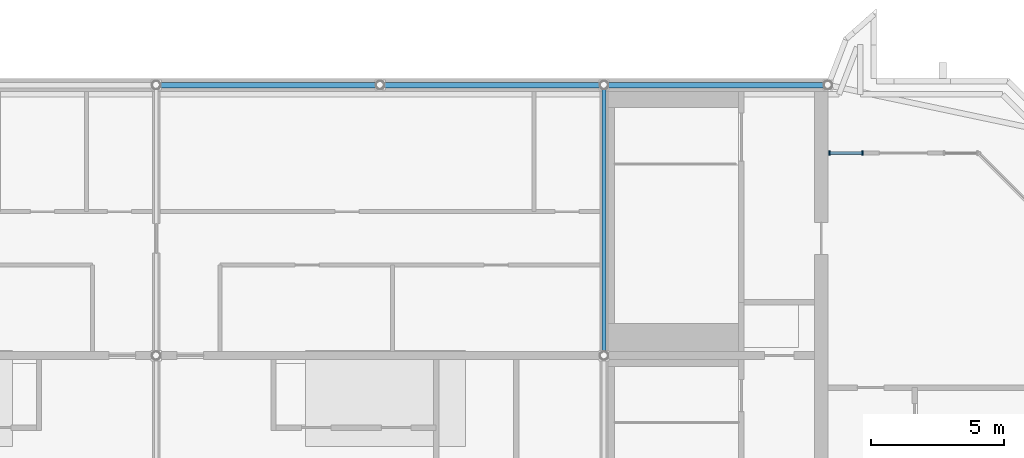
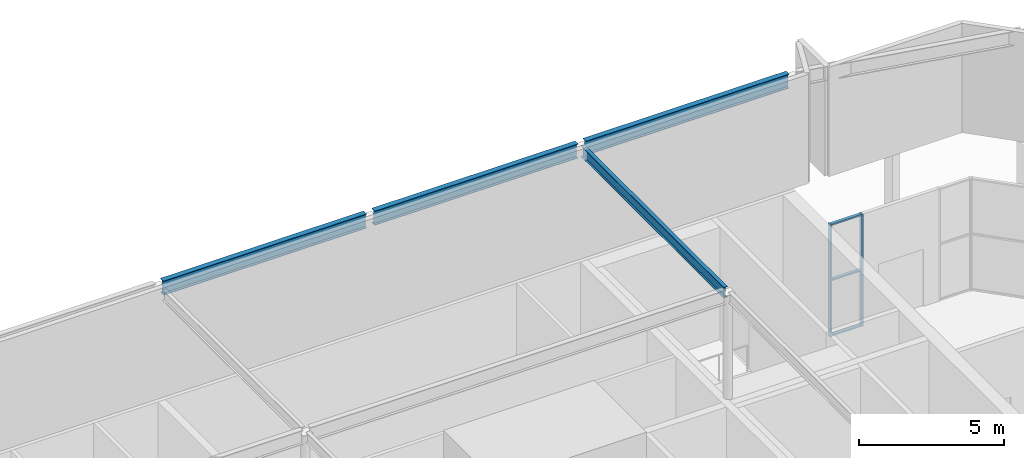
# One storey, part 13 of 25: 5 members, 4 beams, 1 element without a shape of its own.
"""IFC4 building model written with IfcOpenShell, lengths in metres."""

from ifc_helpers import new_model, si_unit, direction, frame, origin, origin_2d, place, context, subcontext, project, spatial, rectangle, i_section, extrude, source, transform, mapped, material, material_profile, profile_set, type_object, element, aggregate, save


model = new_model("IFC4")

# Units and contexts
model_context = context("Model", 3, precision=1e-05, world=origin(), true_north=direction((0.0, 1.0)))
body_context = subcontext(model_context, "Body", "Model", "MODEL_VIEW")
ifc_project = project(units=[si_unit("LENGTHUNIT", "METRE"), si_unit("AREAUNIT", "SQUARE_METRE"), si_unit("VOLUMEUNIT", "CUBIC_METRE"), si_unit("PLANEANGLEUNIT", "RADIAN"), si_unit("MASSUNIT", "GRAM", prefix="KILO")], contexts=[model_context])

# Site, building, storey
site_placement = place(None, origin())
site = spatial("IfcSite", under=ifc_project, at=site_placement, CompositionType="ELEMENT")
building_placement = place(site_placement, origin())
building = spatial("IfcBuilding", under=site, at=building_placement, Name="Vanashikhar Sky Hotel", CompositionType="ELEMENT")
storey_placement = place(building_placement, frame((0.0, 0.0, 329.699951171875)))
storey = spatial("IfcBuildingStorey", under=building, at=storey_placement, Name="L78", CompositionType="ELEMENT", Elevation=329.699951171875)

# Beams
ifc_material_1 = material(Name="Steel S355", Category="steel")
ifc_material_profile_1 = material_profile(ifc_material_1, i_section(OverallWidth=0.2099609375, OverallDepth=0.60009765625, WebThickness=0.011962890625, FlangeThickness=0.020751953125, at=origin_2d()), Name="ISMB 600")
ifc_profile_set_1 = profile_set([ifc_material_profile_1], Name="Steel S355")
beam_type_1 = type_object("IfcBeamType", Name="ISMB 600 Steel S355", PredefinedType="BEAM", material=ifc_profile_set_1)
shared_shape_1 = source(origin(), body_context, "Body", "SweptSolid", [
    extrude(i_section(OverallWidth=0.2099609375, OverallDepth=0.60009765625, WebThickness=0.011962890625, FlangeThickness=0.020751953125, at=origin_2d()), origin(), (0.0, 0.0, 1.0), 8.075927734375),
])
for number, where, z_axis, x_axis, name in (
    (1, (50.56201171875, 41.75, 9.300048828125), (1.0, 0.0, 0.0), (0.0, 1.0, 0.0), "CR-L78-XR04"),
    (2, (67.362060546875, 41.75, 9.300048828125), (1.0, 0.0, 0.0), (0.0, 1.0, 0.0), "CR-L78-XR06"),
):
    element("IfcBeam", number, at=place(storey_placement, frame(where, z_axis=z_axis, x_axis=x_axis)), inside=storey, type_object=beam_type_1, Name=name, PredefinedType="BEAM", context=body_context, shape_type="MappedRepresentation", body=[
        mapped(shared_shape_1, transform((0.0, 0.0, 0.0), scale=1.0)),
    ])
shared_shape_2 = source(origin(), body_context, "Body", "SweptSolid", [
    extrude(i_section(OverallWidth=0.2099609375, OverallDepth=0.60009765625, WebThickness=0.011962890625, FlangeThickness=0.020751953125, at=origin_2d()), origin(), (0.0, 0.0, 1.0), 8.076171875),
])
beam_1_placement = place(storey_placement, frame((58.9619140625, 41.75, 9.300048828125), z_axis=(1.0, 0.0, 0.0), x_axis=(0.0, 1.0, 0.0)))
element("IfcBeam", 3, at=beam_1_placement, inside=storey, type_object=beam_type_1, Name="CR-L78-XR05", PredefinedType="BEAM", context=body_context, shape_type="MappedRepresentation", body=[
    mapped(shared_shape_2, transform((0.0, 0.0, 0.0), scale=1.0)),
])
ifc_material_profile_2 = material_profile(ifc_material_1, i_section(OverallWidth=0.14990234375, OverallDepth=0.449951171875, WebThickness=0.009521484375, FlangeThickness=0.017333984375, at=origin_2d()), Name="ISMB 450")
ifc_profile_set_2 = profile_set([ifc_material_profile_2], Name="Steel S355")
beam_type_2 = type_object("IfcBeamType", Name="ISMB 450 Steel S355", PredefinedType="BEAM", material=ifc_profile_set_2)
shared_shape_3 = source(origin(), body_context, "Body", "SweptSolid", [
    extrude(i_section(OverallWidth=0.14990234375, OverallDepth=0.449951171875, WebThickness=0.009521484375, FlangeThickness=0.017333984375, at=origin_2d()), origin(), (0.0, 0.0, 1.0), 9.825927734375),
])
beam_2_placement = place(storey_placement, frame((67.199951171875, 31.761962890625, 9.300048828125), z_axis=(0.0, 1.0, 0.0), x_axis=(-1.0, 0.0, 0.0)))
element("IfcBeam", 4, at=beam_2_placement, inside=storey, type_object=beam_type_2, Name="CR-L78-Y06", PredefinedType="BEAM", context=body_context, shape_type="MappedRepresentation", body=[
    mapped(shared_shape_3, transform((0.0, 0.0, 0.0), scale=1.0)),
])

# Curtain wall, members
ifc_material_2 = material(Name="Glass", Category="glass")
curtain_wall_type = type_object("IfcCurtainWallType", Name="Observation enclosure", PredefinedType="NOTDEFINED", material=ifc_material_2)
curtain_wall_placement = place(storey_placement, origin())
curtain_wall = element("IfcCurtainWall", 5, at=curtain_wall_placement, inside=storey, type_object=curtain_wall_type, Name="Observation enclosure", PredefinedType="NOTDEFINED")
ifc_material_3 = material(Name="Aluminium 6063-T6", Category="aluminium")
ifc_material_profile_3 = material_profile(ifc_material_3, rectangle(XDim=0.159912109375, YDim=0.06005859375, at=origin_2d()))
ifc_profile_set_3 = profile_set([ifc_material_profile_3], Name="Aluminium 6063-T6")
member_type_1 = type_object("IfcMemberType", Name="Observation mullion 60 x 160", PredefinedType="MULLION", material=ifc_profile_set_3)
shared_shape_4 = source(origin(), body_context, "Body", "SweptSolid", [
    extrude(rectangle(XDim=0.159912109375, YDim=0.06005859375, at=origin_2d()), origin(), (0.0, 0.0, 1.0), 4.719970703125),
])
member_1_placement = place(storey_placement, frame((76.900146484375, 39.199951171875, 0.0), z_axis=(0.0, 0.0, 1.0), x_axis=(0.0, -1.0, 0.0)))
member_1 = element("IfcMember", 6, at=member_1_placement, type_object=member_type_1, Name="CW-6 mullion 1", PredefinedType="MULLION", context=body_context, shape_type="MappedRepresentation", body=[
    mapped(shared_shape_4, transform((0.0, 0.0, 0.0), scale=1.0)),
])
member_2_placement = place(storey_placement, frame((75.64990234375, 39.199951171875, 0.0), z_axis=(0.0, 0.0, 1.0), x_axis=(0.0, -1.0, 0.0)))
member_2 = element("IfcMember", 7, at=member_2_placement, type_object=member_type_1, Name="CW-6 mullion 2", PredefinedType="MULLION", context=body_context, shape_type="MappedRepresentation", body=[
    mapped(shared_shape_4, transform((0.0, 0.0, 0.0), scale=1.0)),
])
ifc_material_profile_4 = material_profile(ifc_material_3, rectangle(XDim=0.1201171875, YDim=0.06005859375, at=origin_2d()))
ifc_profile_set_4 = profile_set([ifc_material_profile_4], Name="Aluminium 6063-T6")
member_type_2 = type_object("IfcMemberType", Name="Observation transom 60 x 120", PredefinedType="USERDEFINED", material=ifc_profile_set_4)
shared_shape_5 = source(origin(), body_context, "Body", "SweptSolid", [
    extrude(rectangle(XDim=0.1201171875, YDim=0.06005859375, at=origin_2d()), origin(), (0.0, 0.0, 1.0), 1.190185546875),
])
member_3_placement = place(storey_placement, frame((76.8701171875, 39.199951171875, 0.030029296875), z_axis=(-1.0, 0.0, 0.0), x_axis=(0.0, -1.0, 0.0)))
member_3 = element("IfcMember", 8, at=member_3_placement, type_object=member_type_2, Name="CW-6 transom 1.1", ObjectType="TRANSOM", PredefinedType="USERDEFINED", context=body_context, shape_type="MappedRepresentation", body=[
    mapped(shared_shape_5, transform((0.0, 0.0, 0.0), scale=1.0)),
])
member_4_placement = place(storey_placement, frame((76.8701171875, 39.199951171875, 2.360107421875), z_axis=(-1.0, 0.0, 0.0), x_axis=(0.0, -1.0, 0.0)))
member_4 = element("IfcMember", 9, at=member_4_placement, type_object=member_type_2, Name="CW-6 transom 1.2", ObjectType="TRANSOM", PredefinedType="USERDEFINED", context=body_context, shape_type="MappedRepresentation", body=[
    mapped(shared_shape_5, transform((0.0, 0.0, 0.0), scale=1.0)),
])
member_5_placement = place(storey_placement, frame((76.8701171875, 39.199951171875, 4.68994140625), z_axis=(-1.0, 0.0, 0.0), x_axis=(0.0, -1.0, 0.0)))
member_5 = element("IfcMember", 10, at=member_5_placement, type_object=member_type_2, Name="CW-6 transom 1.3", ObjectType="TRANSOM", PredefinedType="USERDEFINED", context=body_context, shape_type="MappedRepresentation", body=[
    mapped(shared_shape_5, transform((0.0, 0.0, 0.0), scale=1.0)),
])
aggregate(curtain_wall, [member_1, member_2, member_3, member_4, member_5])

save(model, "model.ifc")
